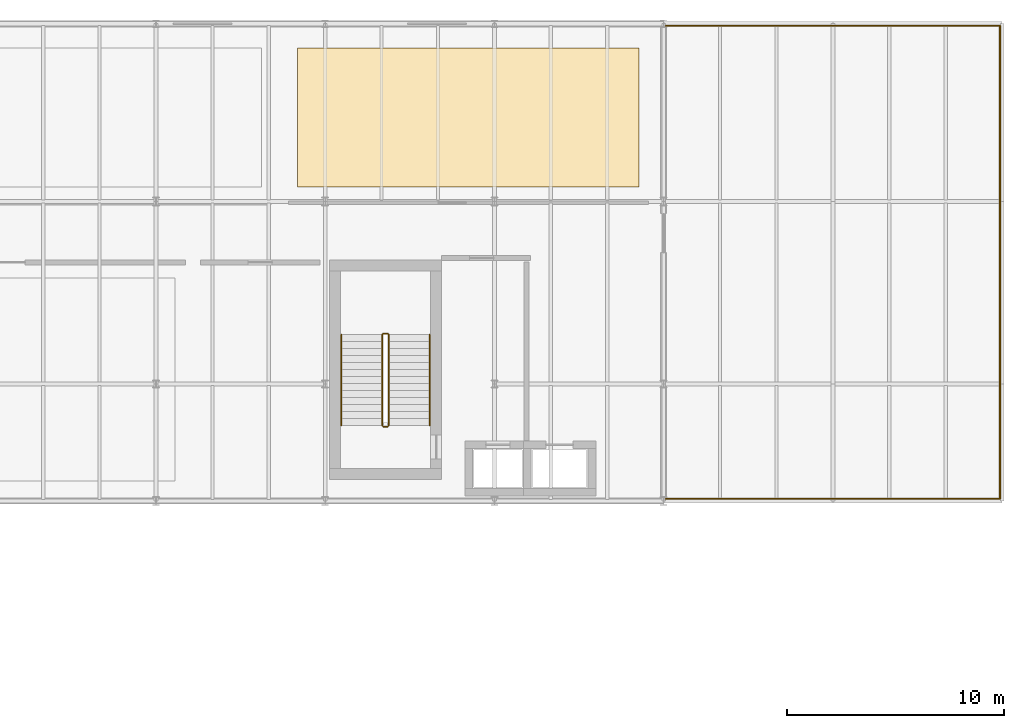
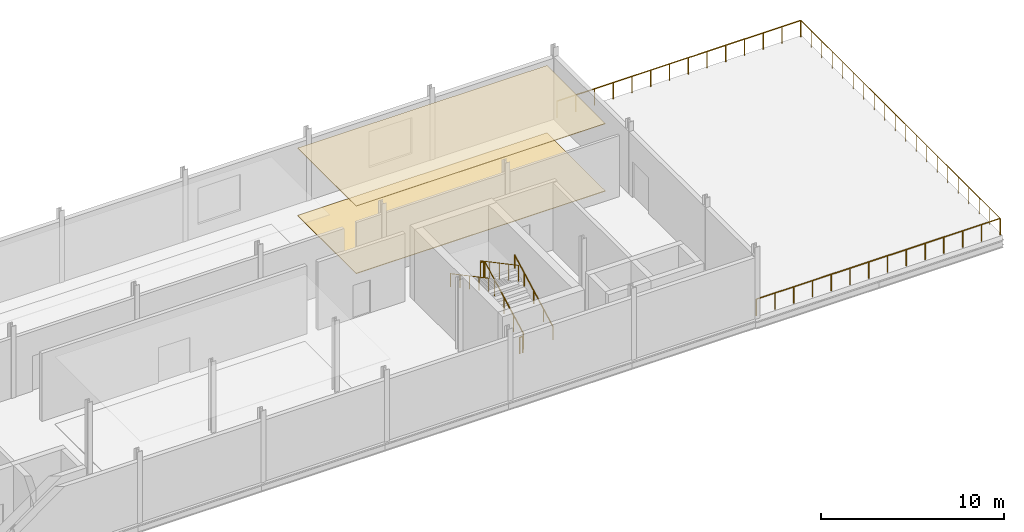
# One storey, part 15 of 15: 9 railings, 2 coverings.
"""IFC4 building model written with IfcOpenShell, lengths in metres."""

from ifc_helpers import new_model, si_unit, direction, frame, origin, origin_2d, place, context, subcontext, project, spatial, polyline, circle, outline, extrude, material, layer, layer_set, type_object, element, save


model = new_model("IFC4")

# Units and contexts
model_context = context("Model", 3, precision=1e-05, world=origin(), true_north=direction((0.0, 1.0)))
body_context = subcontext(model_context, "Body", "Model", "MODEL_VIEW")
ifc_project = project(units=[si_unit("LENGTHUNIT", "METRE"), si_unit("AREAUNIT", "SQUARE_METRE"), si_unit("VOLUMEUNIT", "CUBIC_METRE"), si_unit("PLANEANGLEUNIT", "RADIAN"), si_unit("MASSUNIT", "GRAM", prefix="KILO")], contexts=[model_context])

# Site, building, storey
site_placement = place(None, origin())
site = spatial("IfcSite", under=ifc_project, at=site_placement, CompositionType="ELEMENT")
building_placement = place(site_placement, origin())
building = spatial("IfcBuilding", under=site, at=building_placement, Name="Sefraquen Railside Congress Hotel", CompositionType="ELEMENT")
storey_placement = place(building_placement, frame((0.0, 0.0, 46.800048828125)))
storey = spatial("IfcBuildingStorey", under=building, at=storey_placement, Name="L11", CompositionType="ELEMENT", Elevation=46.800048828125)

# Coverings
ifc_material_1 = material(Name="Acoustic mineral and carved plaster ceiling", Category="gypsum")
ifc_layer_1 = layer(ifc_material_1, 0.0400390625)
ifc_layer_set_1 = layer_set([ifc_layer_1], Name="Acoustic mineral and carved plaster ceiling")
covering_type_1 = type_object("IfcCoveringType", Name="TCV-CEIL-01", PredefinedType="CEILING", material=ifc_layer_set_1)
covering_1_placement = place(storey_placement, frame((0.0, 0.0, 4.5)))
element("IfcCovering", 1, at=covering_1_placement, inside=storey, type_object=covering_type_1, Name="Art Nouveau Sky Bar and Lounge acoustic ceiling finish", PredefinedType="CEILING", context=body_context, shape_type="SweptSolid", body=[
    extrude(outline(polyline([(62.929931640625, 110.47998046875), (78.669921875, 110.47998046875), (78.669921875, 116.8701171875), (62.929931640625, 116.8701171875), (62.929931640625, 110.47998046875)])), origin(), (0.0, 0.0, 1.0), 0.0400390625),
])
ifc_material_2 = material(Name="Moroccan zellige ceramic and honed stone flooring", Category="masonry")
ifc_layer_2 = layer(ifc_material_2, 0.0400390625)
ifc_layer_set_2 = layer_set([ifc_layer_2], Name="Moroccan zellige ceramic and honed stone flooring")
covering_type_2 = type_object("IfcCoveringType", Name="TCV-FLR-01", PredefinedType="FLOORING", material=ifc_layer_set_2)
covering_2_placement = place(storey_placement, origin())
element("IfcCovering", 2, at=covering_2_placement, inside=storey, type_object=covering_type_2, Name="Art Nouveau Sky Bar and Lounge architectural floor finish", PredefinedType="FLOORING", context=body_context, shape_type="SweptSolid", body=[
    extrude(outline(polyline([(62.929931640625, 110.47998046875), (78.669921875, 110.47998046875), (78.669921875, 116.8701171875), (62.929931640625, 116.8701171875), (62.929931640625, 110.47998046875)])), origin(), (0.0, 0.0, 1.0), 0.0400390625),
])

# Railings
ifc_material_3 = material(Name="Patinated wrought architectural bronze", Category="metal")
railing_type_1 = type_object("IfcRailingType", Name="TRL-BAL-110", PredefinedType="BALUSTRADE", material=ifc_material_3)
railing_1_placement = place(storey_placement, frame((79.89990234375, 96.10009765625, 0.0)))
element("IfcRailing", 3, at=railing_1_placement, inside=storey, type_object=railing_type_1, Name="Hotel L11 Observatory Terrace balustrade", PredefinedType="BALUSTRADE", context=body_context, shape_type="SweptSolid", body=[
    extrude(circle(Radius=0.02392578125, at=origin_2d()), frame((0.0, 0.0, 1.09619140625), z_axis=(1.0, 0.0, 0.0), x_axis=(0.0, 1.0, 0.0)), (0.0, 0.0, 1.0), 15.400146484375),
    extrude(circle(Radius=0.02099609375, at=origin_2d()), origin(), (0.0, 0.0, 1.0), 1.072021484375),
    extrude(circle(Radius=0.02099609375, at=origin_2d()), frame((1.1845703125, 0.0, 0.0)), (0.0, 0.0, 1.0), 1.072021484375),
    extrude(circle(Radius=0.02099609375, at=origin_2d()), frame((2.369140625, 0.0, 0.0)), (0.0, 0.0, 1.0), 1.072021484375),
    extrude(circle(Radius=0.02099609375, at=origin_2d()), frame((3.553955078125, 0.0, 0.0)), (0.0, 0.0, 1.0), 1.072021484375),
    extrude(circle(Radius=0.02099609375, at=origin_2d()), frame((4.738525390625, 0.0, 0.0)), (0.0, 0.0, 1.0), 1.072021484375),
    extrude(circle(Radius=0.02099609375, at=origin_2d()), frame((5.923095703125, 0.0, 0.0)), (0.0, 0.0, 1.0), 1.072021484375),
    extrude(circle(Radius=0.02099609375, at=origin_2d()), frame((7.107666015625, 0.0, 0.0)), (0.0, 0.0, 1.0), 1.072021484375),
    extrude(circle(Radius=0.02099609375, at=origin_2d()), frame((8.29248046875, 0.0, 0.0)), (0.0, 0.0, 1.0), 1.072021484375),
    extrude(circle(Radius=0.02099609375, at=origin_2d()), frame((9.47705078125, 0.0, 0.0)), (0.0, 0.0, 1.0), 1.072021484375),
    extrude(circle(Radius=0.02099609375, at=origin_2d()), frame((10.66162109375, 0.0, 0.0)), (0.0, 0.0, 1.0), 1.072021484375),
    extrude(circle(Radius=0.02099609375, at=origin_2d()), frame((11.84619140625, 0.0, 0.0)), (0.0, 0.0, 1.0), 1.072021484375),
    extrude(circle(Radius=0.02099609375, at=origin_2d()), frame((13.031005859375, 0.0, 0.0)), (0.0, 0.0, 1.0), 1.072021484375),
    extrude(circle(Radius=0.02099609375, at=origin_2d()), frame((14.215576171875, 0.0, 0.0)), (0.0, 0.0, 1.0), 1.072021484375),
    extrude(circle(Radius=0.02099609375, at=origin_2d()), frame((15.400146484375, 0.0, 0.0)), (0.0, 0.0, 1.0), 1.072021484375),
])
railing_2_placement = place(storey_placement, frame((95.300048828125, 96.10009765625, 0.0)))
element("IfcRailing", 4, at=railing_2_placement, inside=storey, type_object=railing_type_1, Name="Hotel L11 Observatory Terrace balustrade", PredefinedType="BALUSTRADE", context=body_context, shape_type="SweptSolid", body=[
    extrude(circle(Radius=0.02392578125, at=origin_2d()), frame((0.0, 0.0, 1.09619140625), z_axis=(0.0, 1.0, 0.0), x_axis=(-1.0, 0.0, 0.0)), (0.0, 0.0, 1.0), 21.7998046875),
    extrude(circle(Radius=0.02099609375, at=origin_2d()), origin(), (0.0, 0.0, 1.0), 1.072021484375),
    extrude(circle(Radius=0.02099609375, at=origin_2d()), frame((0.0, 1.1474609375, 0.0)), (0.0, 0.0, 1.0), 1.072021484375),
    extrude(circle(Radius=0.02099609375, at=origin_2d()), frame((0.0, 2.294677734375, 0.0)), (0.0, 0.0, 1.0), 1.072021484375),
    extrude(circle(Radius=0.02099609375, at=origin_2d()), frame((0.0, 3.442138671875, 0.0)), (0.0, 0.0, 1.0), 1.072021484375),
    extrude(circle(Radius=0.02099609375, at=origin_2d()), frame((0.0, 4.58935546875, 0.0)), (0.0, 0.0, 1.0), 1.072021484375),
    extrude(circle(Radius=0.02099609375, at=origin_2d()), frame((0.0, 5.73681640625, 0.0)), (0.0, 0.0, 1.0), 1.072021484375),
    extrude(circle(Radius=0.02099609375, at=origin_2d()), frame((0.0, 6.884033203125, 0.0)), (0.0, 0.0, 1.0), 1.072021484375),
    extrude(circle(Radius=0.02099609375, at=origin_2d()), frame((0.0, 8.031494140625, 0.0)), (0.0, 0.0, 1.0), 1.072021484375),
    extrude(circle(Radius=0.02099609375, at=origin_2d()), frame((0.0, 9.178955078125, 0.0)), (0.0, 0.0, 1.0), 1.072021484375),
    extrude(circle(Radius=0.02099609375, at=origin_2d()), frame((0.0, 10.326171875, 0.0)), (0.0, 0.0, 1.0), 1.072021484375),
    extrude(circle(Radius=0.02099609375, at=origin_2d()), frame((0.0, 11.4736328125, 0.0)), (0.0, 0.0, 1.0), 1.072021484375),
    extrude(circle(Radius=0.02099609375, at=origin_2d()), frame((0.0, 12.620849609375, 0.0)), (0.0, 0.0, 1.0), 1.072021484375),
    extrude(circle(Radius=0.02099609375, at=origin_2d()), frame((0.0, 13.768310546875, 0.0)), (0.0, 0.0, 1.0), 1.072021484375),
    extrude(circle(Radius=0.02099609375, at=origin_2d()), frame((0.0, 14.915771484375, 0.0)), (0.0, 0.0, 1.0), 1.072021484375),
    extrude(circle(Radius=0.02099609375, at=origin_2d()), frame((0.0, 16.06298828125, 0.0)), (0.0, 0.0, 1.0), 1.072021484375),
    extrude(circle(Radius=0.02099609375, at=origin_2d()), frame((0.0, 17.21044921875, 0.0)), (0.0, 0.0, 1.0), 1.072021484375),
    extrude(circle(Radius=0.02099609375, at=origin_2d()), frame((0.0, 18.357666015625, 0.0)), (0.0, 0.0, 1.0), 1.072021484375),
    extrude(circle(Radius=0.02099609375, at=origin_2d()), frame((0.0, 19.505126953125, 0.0)), (0.0, 0.0, 1.0), 1.072021484375),
    extrude(circle(Radius=0.02099609375, at=origin_2d()), frame((0.0, 20.65234375, 0.0)), (0.0, 0.0, 1.0), 1.072021484375),
    extrude(circle(Radius=0.02099609375, at=origin_2d()), frame((0.0, 21.7998046875, 0.0)), (0.0, 0.0, 1.0), 1.072021484375),
])
railing_3_placement = place(storey_placement, frame((95.300048828125, 117.89990234375, 0.0)))
element("IfcRailing", 5, at=railing_3_placement, inside=storey, type_object=railing_type_1, Name="Hotel L11 Observatory Terrace balustrade", PredefinedType="BALUSTRADE", context=body_context, shape_type="SweptSolid", body=[
    extrude(circle(Radius=0.02392578125, at=origin_2d()), frame((0.0, 0.0, 1.09619140625), z_axis=(-1.0, 0.0, 0.0), x_axis=(0.0, -1.0, 0.0)), (0.0, 0.0, 1.0), 15.400146484375),
    extrude(circle(Radius=0.02099609375, at=origin_2d()), origin(), (0.0, 0.0, 1.0), 1.072021484375),
    extrude(circle(Radius=0.02099609375, at=origin_2d()), frame((-1.1845703125, 0.0, 0.0)), (0.0, 0.0, 1.0), 1.072021484375),
    extrude(circle(Radius=0.02099609375, at=origin_2d()), frame((-2.369140625, 0.0, 0.0)), (0.0, 0.0, 1.0), 1.072021484375),
    extrude(circle(Radius=0.02099609375, at=origin_2d()), frame((-3.553955078125, 0.0, 0.0)), (0.0, 0.0, 1.0), 1.072021484375),
    extrude(circle(Radius=0.02099609375, at=origin_2d()), frame((-4.738525390625, 0.0, 0.0)), (0.0, 0.0, 1.0), 1.072021484375),
    extrude(circle(Radius=0.02099609375, at=origin_2d()), frame((-5.923095703125, 0.0, 0.0)), (0.0, 0.0, 1.0), 1.072021484375),
    extrude(circle(Radius=0.02099609375, at=origin_2d()), frame((-7.107666015625, 0.0, 0.0)), (0.0, 0.0, 1.0), 1.072021484375),
    extrude(circle(Radius=0.02099609375, at=origin_2d()), frame((-8.29248046875, 0.0, 0.0)), (0.0, 0.0, 1.0), 1.072021484375),
    extrude(circle(Radius=0.02099609375, at=origin_2d()), frame((-9.47705078125, 0.0, 0.0)), (0.0, 0.0, 1.0), 1.072021484375),
    extrude(circle(Radius=0.02099609375, at=origin_2d()), frame((-10.66162109375, 0.0, 0.0)), (0.0, 0.0, 1.0), 1.072021484375),
    extrude(circle(Radius=0.02099609375, at=origin_2d()), frame((-11.84619140625, 0.0, 0.0)), (0.0, 0.0, 1.0), 1.072021484375),
    extrude(circle(Radius=0.02099609375, at=origin_2d()), frame((-13.031005859375, 0.0, 0.0)), (0.0, 0.0, 1.0), 1.072021484375),
    extrude(circle(Radius=0.02099609375, at=origin_2d()), frame((-14.215576171875, 0.0, 0.0)), (0.0, 0.0, 1.0), 1.072021484375),
    extrude(circle(Radius=0.02099609375, at=origin_2d()), frame((-15.400146484375, 0.0, 0.0)), (0.0, 0.0, 1.0), 1.072021484375),
])
railing_4_placement = place(storey_placement, frame((67.1298828125, 99.47998046875, 0.17138671875)))
element("IfcRailing", 6, at=railing_4_placement, inside=storey, type_object=railing_type_1, Name="L11 ST-H03 stair guard 1", PredefinedType="BALUSTRADE", context=body_context, shape_type="SweptSolid", body=[
    extrude(circle(Radius=0.02392578125, at=origin_2d()), frame((0.0, 0.0, 1.076171875), z_axis=(0.0, 0.882706117232, 0.469925430893), x_axis=(-1.0, 0.0, 0.0)), (0.0, 0.0, 1.0), 4.7421875),
    extrude(circle(Radius=0.02099609375, at=origin_2d()), origin(), (0.0, 0.0, 1.0), 1.052001953125),
    extrude(circle(Radius=0.02099609375, at=origin_2d()), frame((0.0, 1.04638671875, 0.55712890625)), (0.0, 0.0, 1.0), 1.052001953125),
    extrude(circle(Radius=0.02099609375, at=origin_2d()), frame((0.0, 2.093017578125, 1.1142578125)), (0.0, 0.0, 1.0), 1.052001953125),
    extrude(circle(Radius=0.02099609375, at=origin_2d()), frame((0.0, 3.1396484375, 1.67138671875)), (0.0, 0.0, 1.0), 1.052001953125),
    extrude(circle(Radius=0.02099609375, at=origin_2d()), frame((0.0, 4.18603515625, 2.228515625)), (0.0, 0.0, 1.0), 1.052001953125),
])
railing_5_placement = place(storey_placement, frame((67.080078125, 103.716064453125, 2.39990234375)))
element("IfcRailing", 7, at=railing_5_placement, inside=storey, type_object=railing_type_1, Name="L11 ST-H03 stair guard 2", PredefinedType="BALUSTRADE", context=body_context, shape_type="SweptSolid", body=[
    extrude(circle(Radius=0.02392578125, at=origin_2d()), frame((0.0, 0.0, 1.076171875), z_axis=(-1.0, 0.0, 0.0), x_axis=(0.0, -1.0, 0.0)), (0.0, 0.0, 1.0), 0.2001953125),
    extrude(circle(Radius=0.02099609375, at=origin_2d()), origin(), (0.0, 0.0, 1.0), 1.052001953125),
    extrude(circle(Radius=0.02099609375, at=origin_2d()), frame((-0.2001953125, 0.0, 0.0)), (0.0, 0.0, 1.0), 1.052001953125),
])
railing_6_placement = place(storey_placement, frame((66.830078125, 103.666015625, 2.5712890625)))
element("IfcRailing", 8, at=railing_6_placement, inside=storey, type_object=railing_type_1, Name="L11 ST-H03 stair guard 3", PredefinedType="BALUSTRADE", context=body_context, shape_type="SweptSolid", body=[
    extrude(circle(Radius=0.02392578125, at=origin_2d()), frame((0.0, 0.0, 1.076171875), z_axis=(0.0, -0.882684761895, 0.469965542479), x_axis=(1.0, 0.0, 0.0)), (0.0, 0.0, 1.0), 4.742431640625),
    extrude(circle(Radius=0.02099609375, at=origin_2d()), origin(), (0.0, 0.0, 1.0), 1.052001953125),
    extrude(circle(Radius=0.02099609375, at=origin_2d()), frame((0.0, -1.04638671875, 0.55712890625)), (0.0, 0.0, 1.0), 1.052001953125),
    extrude(circle(Radius=0.02099609375, at=origin_2d()), frame((0.0, -2.093017578125, 1.1142578125)), (0.0, 0.0, 1.0), 1.052001953125),
    extrude(circle(Radius=0.02099609375, at=origin_2d()), frame((0.0, -3.1396484375, 1.671630859375)), (0.0, 0.0, 1.0), 1.052001953125),
    extrude(circle(Radius=0.02099609375, at=origin_2d()), frame((0.0, -4.18603515625, 2.228759765625)), (0.0, 0.0, 1.0), 1.052001953125),
])
railing_7_placement = place(storey_placement, frame((67.080078125, 99.429931640625, 0.0)))
element("IfcRailing", 9, at=railing_7_placement, inside=storey, type_object=railing_type_1, Name="L11 ST-H03 stair guard 4", PredefinedType="BALUSTRADE", context=body_context, shape_type="SweptSolid", body=[
    extrude(circle(Radius=0.02392578125, at=origin_2d()), frame((0.0, 0.0, 1.076171875), z_axis=(-1.0, 0.0, 0.0), x_axis=(0.0, -1.0, 0.0)), (0.0, 0.0, 1.0), 0.2001953125),
    extrude(circle(Radius=0.02099609375, at=origin_2d()), origin(), (0.0, 0.0, 1.0), 1.052001953125),
    extrude(circle(Radius=0.02099609375, at=origin_2d()), frame((-0.2001953125, 0.0, 0.0)), (0.0, 0.0, 1.0), 1.052001953125),
])
railing_type_2 = type_object("IfcRailingType", Name="TRL-HR-090", PredefinedType="HANDRAIL", material=ifc_material_3)
railing_8_placement = place(storey_placement, frame((69.010009765625, 99.47998046875, 0.17138671875)))
element("IfcRailing", 10, at=railing_8_placement, inside=storey, type_object=railing_type_2, Name="L11 ST-H03 stair handrail 1", PredefinedType="HANDRAIL", context=body_context, shape_type="SweptSolid", body=[
    extrude(circle(Radius=0.02392578125, at=origin_2d()), frame((0.0, 0.0, 0.8759765625), z_axis=(0.0, 0.882706117232, 0.469925430893), x_axis=(-1.0, 0.0, 0.0)), (0.0, 0.0, 1.0), 4.7421875),
    extrude(circle(Radius=0.02099609375, at=origin_2d()), origin(), (0.0, 0.0, 1.0), 0.851806640625),
    extrude(circle(Radius=0.02099609375, at=origin_2d()), frame((0.0, 1.04638671875, 0.55712890625)), (0.0, 0.0, 1.0), 0.851806640625),
    extrude(circle(Radius=0.02099609375, at=origin_2d()), frame((0.0, 2.093017578125, 1.1142578125)), (0.0, 0.0, 1.0), 0.851806640625),
    extrude(circle(Radius=0.02099609375, at=origin_2d()), frame((0.0, 3.1396484375, 1.67138671875)), (0.0, 0.0, 1.0), 0.851806640625),
    extrude(circle(Radius=0.02099609375, at=origin_2d()), frame((0.0, 4.18603515625, 2.228515625)), (0.0, 0.0, 1.0), 0.851806640625),
])
railing_9_placement = place(storey_placement, frame((64.949951171875, 103.666015625, 2.5712890625)))
element("IfcRailing", 11, at=railing_9_placement, inside=storey, type_object=railing_type_2, Name="L11 ST-H03 stair handrail 2", PredefinedType="HANDRAIL", context=body_context, shape_type="SweptSolid", body=[
    extrude(circle(Radius=0.02392578125, at=origin_2d()), frame((0.0, 0.0, 0.8759765625), z_axis=(0.0, -0.882684761895, 0.469965542479), x_axis=(1.0, 0.0, 0.0)), (0.0, 0.0, 1.0), 4.742431640625),
    extrude(circle(Radius=0.02099609375, at=origin_2d()), origin(), (0.0, 0.0, 1.0), 0.851806640625),
    extrude(circle(Radius=0.02099609375, at=origin_2d()), frame((0.0, -1.04638671875, 0.55712890625)), (0.0, 0.0, 1.0), 0.851806640625),
    extrude(circle(Radius=0.02099609375, at=origin_2d()), frame((0.0, -2.093017578125, 1.1142578125)), (0.0, 0.0, 1.0), 0.851806640625),
    extrude(circle(Radius=0.02099609375, at=origin_2d()), frame((0.0, -3.1396484375, 1.671630859375)), (0.0, 0.0, 1.0), 0.851806640625),
    extrude(circle(Radius=0.02099609375, at=origin_2d()), frame((0.0, -4.18603515625, 2.228759765625)), (0.0, 0.0, 1.0), 0.851806640625),
])

save(model, "model.ifc")
